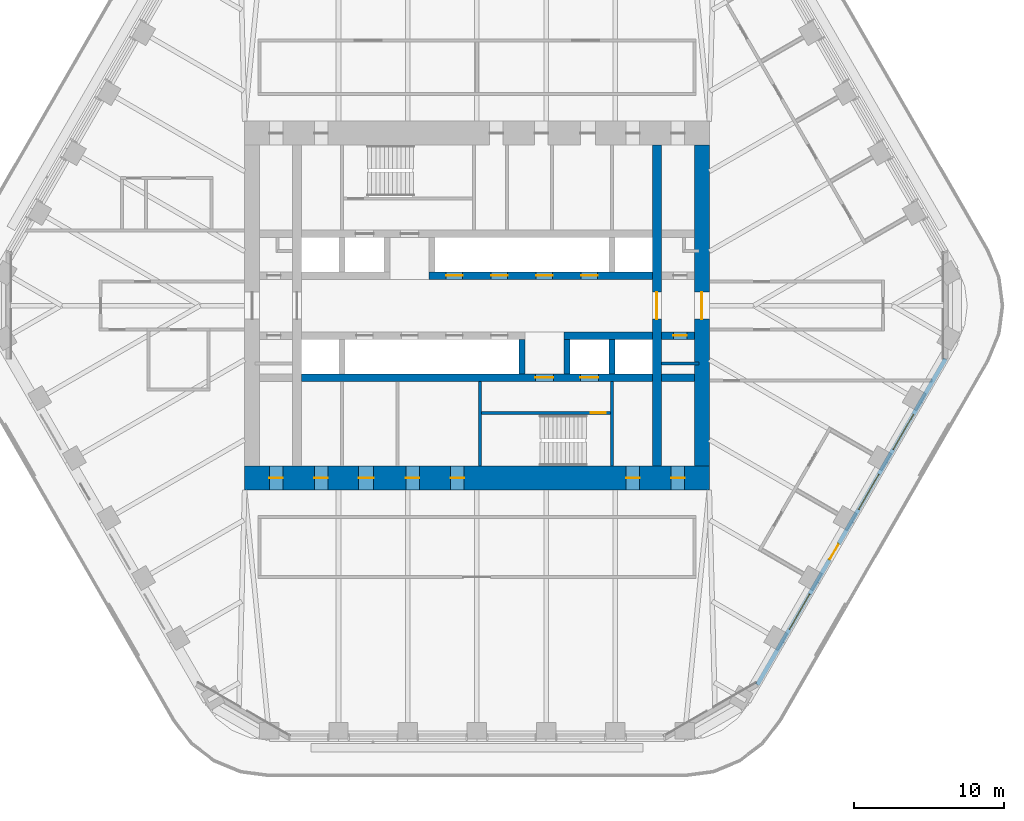
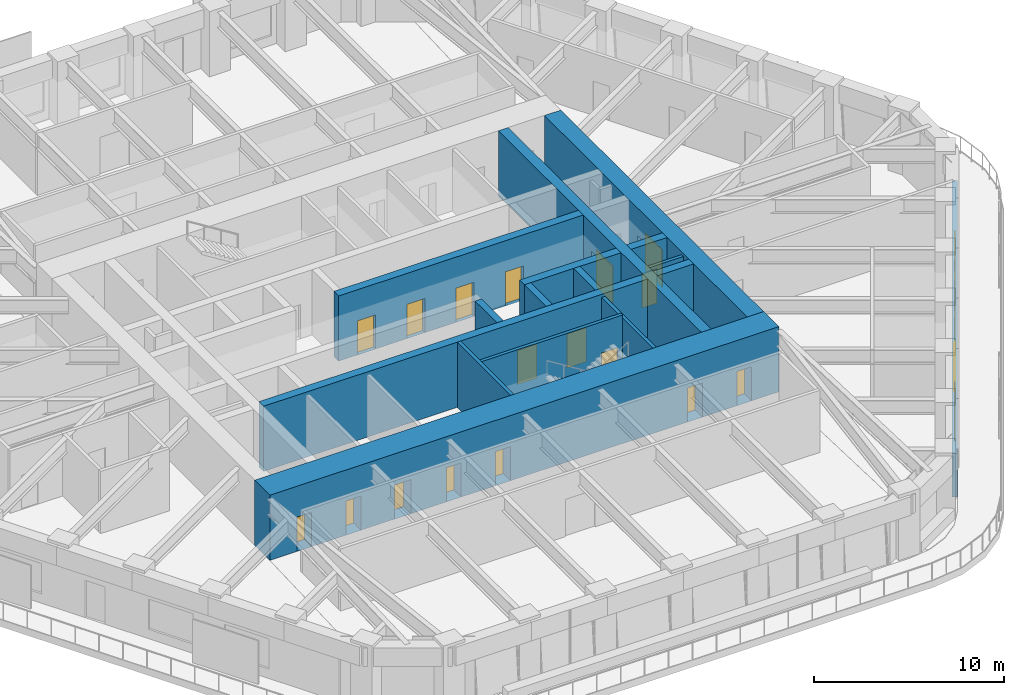
# One storey, part 15 of 20: 18 doors, 16 walls, 3 windows, 21 openings.
"""IFC4 building model written with IfcOpenShell, lengths in metres."""

from ifc_helpers import new_model, si_unit, direction, frame, frame_2d, origin, place, context, subcontext, project, spatial, rectangle, extrude, material, layer, layer_set, type_object, element, fill, save


model = new_model("IFC4")

# Units and contexts
model_context = context("Model", 3, precision=1e-05, world=origin(), true_north=direction((0.0, 1.0)))
body_context = subcontext(model_context, "Body", "Model", "MODEL_VIEW")
ifc_project = project(units=[si_unit("LENGTHUNIT", "METRE"), si_unit("AREAUNIT", "SQUARE_METRE"), si_unit("VOLUMEUNIT", "CUBIC_METRE"), si_unit("PLANEANGLEUNIT", "RADIAN"), si_unit("MASSUNIT", "GRAM", prefix="KILO")], contexts=[model_context])

# Site, building, storey
site_placement = place(None, origin())
site = spatial("IfcSite", under=ifc_project, at=site_placement, CompositionType="ELEMENT")
building_placement = place(site_placement, origin())
building = spatial("IfcBuilding", under=site, at=building_placement, Name="Tarfa Lantern Tower", CompositionType="ELEMENT")
storey_placement = place(building_placement, frame((0.0, 0.0, 236.5)))
storey = spatial("IfcBuildingStorey", under=building, at=storey_placement, Name="L53", CompositionType="ELEMENT", Elevation=236.5)

# Wall, openings, door, windows
ifc_material_1 = material(Name="Limestone cladding on blockwork", Category="masonry")
ifc_layer_1 = layer(ifc_material_1, 0.300048828125)
ifc_layer_set_1 = layer_set([ifc_layer_1], Name="EW1 STONE-CLAD WALL 300")
wall_type_1 = type_object("IfcWallType", Name="EW1 STONE-CLAD WALL 300", PredefinedType="SOLIDWALL", material=ifc_layer_set_1)
wall_1_placement = place(storey_placement, frame((18.70654296875, -25.299072265625, 0.0), z_axis=(0.0, 0.0, 1.0), x_axis=(0.500000442367, 0.866025148383, 0.0)))
wall_1 = element("IfcWall", 1, at=wall_1_placement, inside=storey, type_object=wall_type_1, Name="Stone wall SE", PredefinedType="SOLIDWALL", context=body_context, shape_type="SweptSolid", body=[
    extrude(rectangle(XDim=25.11279296875, YDim=0.300048828125, at=frame_2d((12.556396484375, 0.0))), origin(), (0.0, 0.0, 1.0), 2.800048828125),
])
opening_1_placement = place(wall_1_placement, frame((4.2783203125, 0.0, 0.60009765625)))
opening_1 = element("IfcOpeningElement", 2, at=opening_1_placement, cuts=wall_1, Name="Opening W14", PredefinedType="OPENING", context=body_context, shape_type="SweptSolid", body=[
    extrude(rectangle(XDim=2.699951171875, YDim=1.949951171875, at=frame_2d((1.35009765625, 0.97509765625))), frame((0.0, 0.159912109375, 0.0), z_axis=(0.0, -1.0, 0.0), x_axis=(1.0, 0.0, 0.0)), (0.0, 0.0, 1.0), 0.320068359375),
])
opening_2_placement = place(wall_1_placement, frame((9.64697265625, 0.0, 0.0)))
opening_2 = element("IfcOpeningElement", 3, at=opening_2_placement, cuts=wall_1, Name="Opening D48", PredefinedType="OPENING", context=body_context, shape_type="SweptSolid", body=[
    extrude(rectangle(XDim=1.199951171875, YDim=2.39990234375, at=frame_2d((0.60009765625, 1.199951171875))), frame((0.0, 0.159912109375, 0.0), z_axis=(0.0, -1.0, 0.0), x_axis=(1.0, 0.0, 0.0)), (0.0, 0.0, 1.0), 0.320068359375),
])
opening_3_placement = place(wall_1_placement, frame((13.515869140625, 0.0, 0.60009765625)))
opening_3 = element("IfcOpeningElement", 4, at=opening_3_placement, cuts=wall_1, Name="Opening W14", PredefinedType="OPENING", context=body_context, shape_type="SweptSolid", body=[
    extrude(rectangle(XDim=2.699951171875, YDim=1.949951171875, at=frame_2d((1.35009765625, 0.97509765625))), frame((0.0, 0.159912109375, 0.0), z_axis=(0.0, -1.0, 0.0), x_axis=(1.0, 0.0, 0.0)), (0.0, 0.0, 1.0), 0.320068359375),
])
opening_4_placement = place(wall_1_placement, frame((18.134521484375, 0.0, 0.60009765625)))
opening_4 = element("IfcOpeningElement", 5, at=opening_4_placement, cuts=wall_1, Name="Opening W14", PredefinedType="OPENING", context=body_context, shape_type="SweptSolid", body=[
    extrude(rectangle(XDim=2.699951171875, YDim=1.949951171875, at=frame_2d((1.35009765625, 0.97509765625))), frame((0.0, 0.159912109375, 0.0), z_axis=(0.0, -1.0, 0.0), x_axis=(1.0, 0.0, 0.0)), (0.0, 0.0, 1.0), 0.320068359375),
])
ifc_material_2 = material(Name="Aluminium framed glazed door", Category="aluminium")
door_type_1 = type_object("IfcDoorType", Name="BE3 BALCONY DOOR 1200x2400", OperationType="SINGLE_SWING_RIGHT", PredefinedType="DOOR", material=ifc_material_2)
door_1_placement = place(opening_2_placement, origin())
door_1 = element("IfcDoor", 6, at=door_1_placement, inside=storey, type_object=door_type_1, Name="Balcony door SE", OperationType="SINGLE_SWING_RIGHT", OverallHeight=2.39990234375, OverallWidth=1.199951171875, PredefinedType="DOOR", context=body_context, shape_type="SweptSolid", body=[
    extrude(rectangle(XDim=1.199951171875, YDim=2.39990234375, at=frame_2d((0.60009765625, 1.199951171875))), frame((0.0, 0.02490234375, 0.0), z_axis=(0.0, -1.0, 0.0), x_axis=(1.0, 0.0, 0.0)), (0.0, 0.0, 1.0), 0.050048828125),
])
fill(opening_2, door_1)
ifc_material_3 = material(Name="Aluminium frame, double glazed", Category="aluminium")
window_type = type_object("IfcWindowType", Name="W14 FULL-HEIGHT GLAZING 2700x1950", PartitioningType="SINGLE_PANEL", PredefinedType="WINDOW", material=ifc_material_3)
window_1_placement = place(opening_1_placement, origin())
window_1 = element("IfcWindow", 7, at=window_1_placement, inside=storey, type_object=window_type, Name="Window SE 2", OverallHeight=1.949951171875, OverallWidth=2.699951171875, PartitioningType="SINGLE_PANEL", PredefinedType="WINDOW", context=body_context, shape_type="SweptSolid", body=[
    extrude(rectangle(XDim=2.699951171875, YDim=1.949951171875, at=frame_2d((1.35009765625, 0.97509765625))), frame((0.0, 0.030029296875, 0.0), z_axis=(0.0, -1.0, 0.0), x_axis=(1.0, 0.0, 0.0)), (0.0, 0.0, 1.0), 0.06005859375),
])
fill(opening_1, window_1)
window_2_placement = place(opening_3_placement, origin())
window_2 = element("IfcWindow", 8, at=window_2_placement, inside=storey, type_object=window_type, Name="Window SE 4", OverallHeight=1.949951171875, OverallWidth=2.699951171875, PartitioningType="SINGLE_PANEL", PredefinedType="WINDOW", context=body_context, shape_type="SweptSolid", body=[
    extrude(rectangle(XDim=2.699951171875, YDim=1.949951171875, at=frame_2d((1.35009765625, 0.97509765625))), frame((0.0, 0.030029296875, 0.0), z_axis=(0.0, -1.0, 0.0), x_axis=(1.0, 0.0, 0.0)), (0.0, 0.0, 1.0), 0.06005859375),
])
fill(opening_3, window_2)
window_3_placement = place(opening_4_placement, origin())
window_3 = element("IfcWindow", 9, at=window_3_placement, inside=storey, type_object=window_type, Name="Window SE 5", OverallHeight=1.949951171875, OverallWidth=2.699951171875, PartitioningType="SINGLE_PANEL", PredefinedType="WINDOW", context=body_context, shape_type="SweptSolid", body=[
    extrude(rectangle(XDim=2.699951171875, YDim=1.949951171875, at=frame_2d((1.35009765625, 0.97509765625))), frame((0.0, 0.030029296875, 0.0), z_axis=(0.0, -1.0, 0.0), x_axis=(1.0, 0.0, 0.0)), (0.0, 0.0, 1.0), 0.06005859375),
])
fill(opening_4, window_3)

# Walls
ifc_material_4 = material(Name="Concrete blockwork", Category="masonry")
ifc_layer_2 = layer(ifc_material_4, 0.199951171875)
ifc_layer_set_2 = layer_set([ifc_layer_2], Name="IW1 BLOCKWORK PARTITION 200 EI 120")
wall_type_2 = type_object("IfcWallType", Name="IW1 BLOCKWORK PARTITION 200 EI 120", PredefinedType="PARTITIONING", material=ifc_layer_set_2)
wall_2_placement = place(storey_placement, frame((9.0, -5.050048828125, 0.0), z_axis=(0.0, 0.0, 1.0), x_axis=(0.0, -1.0, 0.0)))
element("IfcWall", 10, at=wall_2_placement, inside=storey, type_object=wall_type_2, Name="Core partition", PredefinedType="PARTITIONING", context=body_context, shape_type="SweptSolid", body=[
    extrude(rectangle(XDim=5.64990234375, YDim=0.199951171875, at=frame_2d((2.824951171875, 0.0))), origin(), (0.0, 0.0, 1.0), 4.0),
])
wall_3_placement = place(storey_placement, frame((14.800048828125, -3.85009765625, 0.0), z_axis=(0.0, 0.0, 1.0), x_axis=(-1.0, 0.0, 0.0)))
element("IfcWall", 11, at=wall_3_placement, inside=storey, type_object=wall_type_2, Name="Core partition", PredefinedType="PARTITIONING", context=body_context, shape_type="SweptSolid", body=[
    extrude(rectangle(XDim=2.5, YDim=0.199951171875, at=frame_2d((1.25, 0.0))), origin(), (0.0, 0.0, 1.0), 4.0),
])
ifc_material_5 = material(Name="Concrete C80/95", Category="concrete")
ifc_layer_3 = layer(ifc_material_5, 0.199951171875)
ifc_layer_set_3 = layer_set([ifc_layer_3], Name="SW12 CORE WALL 200")
wall_type_3 = type_object("IfcWallType", Name="SW12 CORE WALL 200", PredefinedType="SHEAR", material=ifc_layer_set_3)
wall_4_placement = place(storey_placement, frame((0.199951171875, -5.050048828125, 0.0), z_axis=(0.0, 0.0, 1.0), x_axis=(0.0, -1.0, 0.0)))
element("IfcWall", 12, at=wall_4_placement, inside=storey, type_object=wall_type_3, Name="Core wall stair shaft S", PredefinedType="SHEAR", context=body_context, shape_type="SweptSolid", body=[
    extrude(rectangle(XDim=5.64990234375, YDim=0.199951171875, at=frame_2d((2.824951171875, 0.0))), origin(), (0.0, 0.0, 1.0), 4.199951171875),
])

# Wall, opening, door
wall_5_placement = place(storey_placement, frame((8.89990234375, -7.14990234375, 0.0), z_axis=(0.0, 0.0, 1.0), x_axis=(-1.0, 0.0, 0.0)))
wall_5 = element("IfcWall", 13, at=wall_5_placement, inside=storey, type_object=wall_type_3, Name="Core wall stair partition S", PredefinedType="SHEAR", context=body_context, shape_type="SweptSolid", body=[
    extrude(rectangle(XDim=8.599853515625, YDim=0.199951171875, at=frame_2d((4.2998046875, 0.0))), origin(), (0.0, 0.0, 1.0), 4.199951171875),
])
opening_5_placement = place(wall_5_placement, frame((0.300048828125, 0.0, 0.0)))
opening_5 = element("IfcOpeningElement", 14, at=opening_5_placement, cuts=wall_5, Name="Opening D24", PredefinedType="OPENING", context=body_context, shape_type="SweptSolid", body=[
    extrude(rectangle(XDim=1.0, YDim=2.199951171875, at=frame_2d((0.5, 1.10009765625))), frame((0.0, 0.10986328125, 0.0), z_axis=(0.0, -1.0, 0.0), x_axis=(1.0, 0.0, 0.0)), (0.0, 0.0, 1.0), 0.219970703125),
])
ifc_material_6 = material(Name="Steel fire door", Category="steel")
door_type_2 = type_object("IfcDoorType", Name="DF2 STAIR DOOR 1000x2200", OperationType="SINGLE_SWING_LEFT", PredefinedType="DOOR", material=ifc_material_6)
door_2_placement = place(opening_5_placement, origin())
door_2 = element("IfcDoor", 15, at=door_2_placement, inside=storey, type_object=door_type_2, Name="Stair door", OperationType="SINGLE_SWING_RIGHT", OverallHeight=2.199951171875, OverallWidth=1.0, PredefinedType="DOOR", context=body_context, shape_type="SweptSolid", body=[
    extrude(rectangle(XDim=1.0, YDim=2.199951171875, at=frame_2d((0.5, 1.10009765625))), frame((0.0, 0.02490234375, 0.0), z_axis=(0.0, -1.0, 0.0), x_axis=(1.0, 0.0, 0.0)), (0.0, 0.0, 1.0), 0.050048828125),
])
fill(opening_5, door_2)

ifc_layer_4 = layer(ifc_material_5, 1.0)
ifc_layer_set_4 = layer_set([ifc_layer_4], Name="SW2 CORE WALL 1000")
wall_type_4 = type_object("IfcWallType", Name="SW2 CORE WALL 1000", PredefinedType="SHEAR", material=ifc_layer_set_4)
wall_6_placement = place(storey_placement, frame((15.0, -10.699951171875, 0.0), z_axis=(0.0, 0.0, 1.0), x_axis=(0.0, 1.0, 0.0)))
wall_6 = element("IfcWall", 16, at=wall_6_placement, inside=storey, type_object=wall_type_4, Name="Core wall E", PredefinedType="SHEAR", context=body_context, shape_type="SweptSolid", body=[
    extrude(rectangle(XDim=21.39990234375, YDim=1.0, at=frame_2d((10.699951171875, 0.0))), origin(), (0.0, 0.0, 1.0), 4.199951171875),
])
opening_6_placement = place(wall_6_placement, frame((9.800048828125, 0.0, 0.0)))
opening_6 = element("IfcOpeningElement", 17, at=opening_6_placement, cuts=wall_6, Name="Opening D11", PredefinedType="OPENING", context=body_context, shape_type="SweptSolid", body=[
    extrude(rectangle(XDim=1.800048828125, YDim=2.39990234375, at=frame_2d((0.89990234375, 1.199951171875))), frame((0.0, 0.510009765625, 0.0), z_axis=(0.0, -1.0, 0.0), x_axis=(1.0, 0.0, 0.0)), (0.0, 0.0, 1.0), 1.02001953125),
])
door_type_3 = type_object("IfcDoorType", Name="DL1 LOBBY DOOR 1800x2400", OperationType="DOUBLE_DOOR_SINGLE_SWING", PredefinedType="DOOR", material=ifc_material_6)
door_3_placement = place(opening_6_placement, frame((1.800048828125, 0.0, 0.0), z_axis=(0.0, 0.0, 1.0), x_axis=(-1.0, 0.0, 0.0)))
door_3 = element("IfcDoor", 18, at=door_3_placement, inside=storey, type_object=door_type_3, Name="Lift lobby door", OperationType="DOUBLE_DOOR_SINGLE_SWING", OverallHeight=2.39990234375, OverallWidth=1.800048828125, PredefinedType="DOOR", context=body_context, shape_type="SweptSolid", body=[
    extrude(rectangle(XDim=1.800048828125, YDim=2.39990234375, at=frame_2d((0.89990234375, 1.199951171875))), frame((0.0, 0.02490234375, 0.0), z_axis=(0.0, -1.0, 0.0), x_axis=(1.0, 0.0, 0.0)), (0.0, 0.0, 1.0), 0.050048828125),
])
fill(opening_6, door_3)

# Wall, openings, doors
ifc_layer_5 = layer(ifc_material_5, 0.5)
ifc_layer_set_5 = layer_set([ifc_layer_5], Name="SW5 CORE WALL 500")
wall_type_5 = type_object("IfcWallType", Name="SW5 CORE WALL 500", PredefinedType="SHEAR", material=ifc_layer_set_5)
wall_7_placement = place(storey_placement, frame((-3.199951171875, 2.0, 0.0), z_axis=(0.0, 0.0, 1.0), x_axis=(1.0, 0.0, 0.0)))
wall_7 = element("IfcWall", 19, at=wall_7_placement, inside=storey, type_object=wall_type_5, Name="Core wall lobby east N", PredefinedType="SHEAR", context=body_context, shape_type="SweptSolid", body=[
    extrude(rectangle(XDim=14.89990234375, YDim=0.5, at=frame_2d((7.449951171875, 0.0))), origin(), (0.0, 0.0, 1.0), 4.199951171875),
])
opening_7_placement = place(wall_7_placement, frame((1.14990234375, 0.0, 0.0)))
opening_7 = element("IfcOpeningElement", 20, at=opening_7_placement, cuts=wall_7, Name="Opening LD03", PredefinedType="OPENING", context=body_context, shape_type="SweptSolid", body=[
    extrude(rectangle(XDim=1.10009765625, YDim=2.199951171875, at=frame_2d((0.550048828125, 1.10009765625))), frame((0.0, 0.260009765625, 0.0), z_axis=(0.0, -1.0, 0.0), x_axis=(1.0, 0.0, 0.0)), (0.0, 0.0, 1.0), 0.52001953125),
])
opening_8_placement = place(wall_7_placement, frame((4.14990234375, 0.0, 0.0)))
opening_8 = element("IfcOpeningElement", 21, at=opening_8_placement, cuts=wall_7, Name="Opening LD04", PredefinedType="OPENING", context=body_context, shape_type="SweptSolid", body=[
    extrude(rectangle(XDim=1.10009765625, YDim=2.199951171875, at=frame_2d((0.550048828125, 1.10009765625))), frame((0.0, 0.260009765625, 0.0), z_axis=(0.0, -1.0, 0.0), x_axis=(1.0, 0.0, 0.0)), (0.0, 0.0, 1.0), 0.52001953125),
])
opening_9_placement = place(wall_7_placement, frame((7.14990234375, 0.0, 0.0)))
opening_9 = element("IfcOpeningElement", 22, at=opening_9_placement, cuts=wall_7, Name="Opening LD05", PredefinedType="OPENING", context=body_context, shape_type="SweptSolid", body=[
    extrude(rectangle(XDim=1.10009765625, YDim=2.199951171875, at=frame_2d((0.550048828125, 1.10009765625))), frame((0.0, 0.260009765625, 0.0), z_axis=(0.0, -1.0, 0.0), x_axis=(1.0, 0.0, 0.0)), (0.0, 0.0, 1.0), 0.52001953125),
])
opening_10_placement = place(wall_7_placement, frame((10.14990234375, 0.0, 0.0)))
opening_10 = element("IfcOpeningElement", 23, at=opening_10_placement, cuts=wall_7, Name="Opening LD06", PredefinedType="OPENING", context=body_context, shape_type="SweptSolid", body=[
    extrude(rectangle(XDim=1.10009765625, YDim=2.199951171875, at=frame_2d((0.550048828125, 1.10009765625))), frame((0.0, 0.260009765625, 0.0), z_axis=(0.0, -1.0, 0.0), x_axis=(1.0, 0.0, 0.0)), (0.0, 0.0, 1.0), 0.52001953125),
])
ifc_material_7 = material(Name="Stainless steel lift door", Category="steel")
door_type_4 = type_object("IfcDoorType", Name="LD2 LIFT LANDING DOOR 1100x2200", OperationType="SLIDING_TO_LEFT", PredefinedType="DOOR", material=ifc_material_7)
door_4_placement = place(opening_7_placement, frame((1.10009765625, 0.0, 0.0), z_axis=(0.0, 0.0, 1.0), x_axis=(-1.0, 0.0, 0.0)))
door_4 = element("IfcDoor", 24, at=door_4_placement, inside=storey, type_object=door_type_4, Name="Landing door PC1", OperationType="SLIDING_TO_LEFT", OverallHeight=2.199951171875, OverallWidth=1.10009765625, PredefinedType="DOOR", context=body_context, shape_type="SweptSolid", body=[
    extrude(rectangle(XDim=1.10009765625, YDim=2.199951171875, at=frame_2d((0.550048828125, 1.10009765625))), frame((0.0, 0.02490234375, 0.0), z_axis=(0.0, -1.0, 0.0), x_axis=(1.0, 0.0, 0.0)), (0.0, 0.0, 1.0), 0.050048828125),
])
fill(opening_7, door_4)
door_5_placement = place(opening_8_placement, frame((1.10009765625, 0.0, 0.0), z_axis=(0.0, 0.0, 1.0), x_axis=(-1.0, 0.0, 0.0)))
door_5 = element("IfcDoor", 25, at=door_5_placement, inside=storey, type_object=door_type_4, Name="Landing door PC2", OperationType="SLIDING_TO_LEFT", OverallHeight=2.199951171875, OverallWidth=1.10009765625, PredefinedType="DOOR", context=body_context, shape_type="SweptSolid", body=[
    extrude(rectangle(XDim=1.10009765625, YDim=2.199951171875, at=frame_2d((0.550048828125, 1.10009765625))), frame((0.0, 0.02490234375, 0.0), z_axis=(0.0, -1.0, 0.0), x_axis=(1.0, 0.0, 0.0)), (0.0, 0.0, 1.0), 0.050048828125),
])
fill(opening_8, door_5)
door_6_placement = place(opening_9_placement, frame((1.10009765625, 0.0, 0.0), z_axis=(0.0, 0.0, 1.0), x_axis=(-1.0, 0.0, 0.0)))
door_6 = element("IfcDoor", 26, at=door_6_placement, inside=storey, type_object=door_type_4, Name="Landing door PC3", OperationType="SLIDING_TO_LEFT", OverallHeight=2.199951171875, OverallWidth=1.10009765625, PredefinedType="DOOR", context=body_context, shape_type="SweptSolid", body=[
    extrude(rectangle(XDim=1.10009765625, YDim=2.199951171875, at=frame_2d((0.550048828125, 1.10009765625))), frame((0.0, 0.02490234375, 0.0), z_axis=(0.0, -1.0, 0.0), x_axis=(1.0, 0.0, 0.0)), (0.0, 0.0, 1.0), 0.050048828125),
])
fill(opening_9, door_6)
door_7_placement = place(opening_10_placement, frame((1.10009765625, 0.0, 0.0), z_axis=(0.0, 0.0, 1.0), x_axis=(-1.0, 0.0, 0.0)))
door_7 = element("IfcDoor", 27, at=door_7_placement, inside=storey, type_object=door_type_4, Name="Landing door PC4", OperationType="SLIDING_TO_LEFT", OverallHeight=2.199951171875, OverallWidth=1.10009765625, PredefinedType="DOOR", context=body_context, shape_type="SweptSolid", body=[
    extrude(rectangle(XDim=1.10009765625, YDim=2.199951171875, at=frame_2d((0.550048828125, 1.10009765625))), frame((0.0, 0.02490234375, 0.0), z_axis=(0.0, -1.0, 0.0), x_axis=(1.0, 0.0, 0.0)), (0.0, 0.0, 1.0), 0.050048828125),
])
fill(opening_10, door_7)

# Wall, opening, door
wall_8_placement = place(storey_placement, frame((14.5, -2.0, 0.0), z_axis=(0.0, 0.0, 1.0), x_axis=(-1.0, 0.0, 0.0)))
wall_8 = element("IfcWall", 28, at=wall_8_placement, inside=storey, type_object=wall_type_5, Name="Core wall lobby west S", PredefinedType="SHEAR", context=body_context, shape_type="SweptSolid", body=[
    extrude(rectangle(XDim=2.199951171875, YDim=0.5, at=frame_2d((1.10009765625, 0.0))), origin(), (0.0, 0.0, 1.0), 4.199951171875),
])
opening_11_placement = place(wall_8_placement, frame((0.5, 0.0, 0.0)))
opening_11 = element("IfcOpeningElement", 29, at=opening_11_placement, cuts=wall_8, Name="Opening D16", PredefinedType="OPENING", context=body_context, shape_type="SweptSolid", body=[
    extrude(rectangle(XDim=0.89990234375, YDim=2.199951171875, at=frame_2d((0.449951171875, 1.10009765625))), frame((0.0, 0.260009765625, 0.0), z_axis=(0.0, -1.0, 0.0), x_axis=(1.0, 0.0, 0.0)), (0.0, 0.0, 1.0), 0.52001953125),
])
door_type_5 = type_object("IfcDoorType", Name="DF6 SERVICE ROOM DOOR 900x2200", OperationType="SINGLE_SWING_LEFT", PredefinedType="DOOR", material=ifc_material_6)
door_8_placement = place(opening_11_placement, origin())
door_8 = element("IfcDoor", 30, at=door_8_placement, inside=storey, type_object=door_type_5, Name="Service room door", OperationType="SINGLE_SWING_RIGHT", OverallHeight=2.199951171875, OverallWidth=0.89990234375, PredefinedType="DOOR", context=body_context, shape_type="SweptSolid", body=[
    extrude(rectangle(XDim=0.89990234375, YDim=2.199951171875, at=frame_2d((0.449951171875, 1.10009765625))), frame((0.0, 0.02490234375, 0.0), z_axis=(0.0, -1.0, 0.0), x_axis=(1.0, 0.0, 0.0)), (0.0, 0.0, 1.0), 0.050048828125),
])
fill(opening_11, door_8)

# Walls
wall_9_placement = place(storey_placement, frame((11.699951171875, -2.0, 0.0), z_axis=(0.0, 0.0, 1.0), x_axis=(-1.0, 0.0, 0.0)))
element("IfcWall", 31, at=wall_9_placement, inside=storey, type_object=wall_type_5, Name="Core wall lobby west S", PredefinedType="SHEAR", context=body_context, shape_type="SweptSolid", body=[
    extrude(rectangle(XDim=5.89990234375, YDim=0.5, at=frame_2d((2.949951171875, 0.0))), origin(), (0.0, 0.0, 1.0), 4.199951171875),
])
wall_10_placement = place(storey_placement, frame((14.5, -4.800048828125, 0.0), z_axis=(0.0, 0.0, 1.0), x_axis=(-1.0, 0.0, 0.0)))
element("IfcWall", 32, at=wall_10_placement, inside=storey, type_object=wall_type_5, Name="Core wall rear S", PredefinedType="SHEAR", context=body_context, shape_type="SweptSolid", body=[
    extrude(rectangle(XDim=2.199951171875, YDim=0.5, at=frame_2d((1.10009765625, 0.0))), origin(), (0.0, 0.0, 1.0), 4.199951171875),
])

# Wall, openings, doors
wall_11_placement = place(storey_placement, frame((11.699951171875, -4.800048828125, 0.0), z_axis=(0.0, 0.0, 1.0), x_axis=(-1.0, 0.0, 0.0)))
wall_11 = element("IfcWall", 33, at=wall_11_placement, inside=storey, type_object=wall_type_5, Name="Core wall rear S", PredefinedType="SHEAR", context=body_context, shape_type="SweptSolid", body=[
    extrude(rectangle(XDim=23.39990234375, YDim=0.5, at=frame_2d((11.699951171875, 0.0))), origin(), (0.0, 0.0, 1.0), 4.199951171875),
])
opening_12_placement = place(wall_11_placement, frame((6.60009765625, 0.0, 0.0)))
opening_12 = element("IfcOpeningElement", 34, at=opening_12_placement, cuts=wall_11, Name="Opening D10", PredefinedType="OPENING", context=body_context, shape_type="SweptSolid", body=[
    extrude(rectangle(XDim=1.199951171875, YDim=2.199951171875, at=frame_2d((0.60009765625, 1.10009765625))), frame((0.0, 0.260009765625, 0.0), z_axis=(0.0, -1.0, 0.0), x_axis=(1.0, 0.0, 0.0)), (0.0, 0.0, 1.0), 0.52001953125),
])
opening_13_placement = place(wall_11_placement, frame((3.60009765625, 0.0, 0.0)))
opening_13 = element("IfcOpeningElement", 35, at=opening_13_placement, cuts=wall_11, Name="Opening LD02", PredefinedType="OPENING", context=body_context, shape_type="SweptSolid", body=[
    extrude(rectangle(XDim=1.199951171875, YDim=2.199951171875, at=frame_2d((0.60009765625, 1.10009765625))), frame((0.0, 0.260009765625, 0.0), z_axis=(0.0, -1.0, 0.0), x_axis=(1.0, 0.0, 0.0)), (0.0, 0.0, 1.0), 0.52001953125),
])
door_type_6 = type_object("IfcDoorType", Name="DF1 FIREFIGHTING LOBBY DOOR 1200x2200", OperationType="SINGLE_SWING_LEFT", PredefinedType="DOOR", material=ifc_material_6)
door_9_placement = place(opening_12_placement, origin())
door_9 = element("IfcDoor", 36, at=door_9_placement, inside=storey, type_object=door_type_6, Name="Firefighting lobby door", OperationType="SINGLE_SWING_LEFT", OverallHeight=2.199951171875, OverallWidth=1.199951171875, PredefinedType="DOOR", context=body_context, shape_type="SweptSolid", body=[
    extrude(rectangle(XDim=1.199951171875, YDim=2.199951171875, at=frame_2d((0.60009765625, 1.10009765625))), frame((0.0, 0.02490234375, 0.0), z_axis=(0.0, -1.0, 0.0), x_axis=(1.0, 0.0, 0.0)), (0.0, 0.0, 1.0), 0.050048828125),
])
fill(opening_12, door_9)
door_type_7 = type_object("IfcDoorType", Name="LD1 LIFT LANDING DOOR 1200x2200", OperationType="SLIDING_TO_LEFT", PredefinedType="DOOR", material=ifc_material_7)
door_10_placement = place(opening_13_placement, origin())
door_10 = element("IfcDoor", 37, at=door_10_placement, inside=storey, type_object=door_type_7, Name="Landing door FL2", OperationType="SLIDING_TO_LEFT", OverallHeight=2.199951171875, OverallWidth=1.199951171875, PredefinedType="DOOR", context=body_context, shape_type="SweptSolid", body=[
    extrude(rectangle(XDim=1.199951171875, YDim=2.199951171875, at=frame_2d((0.60009765625, 1.10009765625))), frame((0.0, 0.02490234375, 0.0), z_axis=(0.0, -1.0, 0.0), x_axis=(1.0, 0.0, 0.0)), (0.0, 0.0, 1.0), 0.050048828125),
])
fill(opening_13, door_10)

# Walls
ifc_layer_6 = layer(ifc_material_5, 0.39990234375)
ifc_layer_set_6 = layer_set([ifc_layer_6], Name="SW6 CORE WALL 400")
wall_type_6 = type_object("IfcWallType", Name="SW6 CORE WALL 400", PredefinedType="SHEAR", material=ifc_layer_set_6)
for number, where, z_axis, x_axis, name in (
    (38, (9.0, -2.25, 0.0), (0.0, 0.0, 1.0), (0.0, -1.0, 0.0), "Core wall divider S"),
    (39, (6.0, -2.25, 0.0), (0.0, 0.0, 1.0), (0.0, -1.0, 0.0), "Core wall divider S"),
    (40, (3.0, -2.25, 0.0), (0.0, 0.0, 1.0), (0.0, -1.0, 0.0), "Core wall divider S"),
):
    element("IfcWall", number, at=place(storey_placement, frame(where, z_axis=z_axis, x_axis=x_axis)), inside=storey, type_object=wall_type_6, Name=name, PredefinedType="SHEAR", context=body_context, shape_type="SweptSolid", body=[
        extrude(rectangle(XDim=2.300048828125, YDim=0.39990234375, at=frame_2d((1.14990234375, 0.0))), origin(), (0.0, 0.0, 1.0), 4.199951171875),
    ])

# Wall, openings, doors
ifc_layer_7 = layer(ifc_material_5, 1.60009765625)
ifc_layer_set_7 = layer_set([ifc_layer_7], Name="SW7 CORE WALL 1600")
wall_type_7 = type_object("IfcWallType", Name="SW7 CORE WALL 1600", PredefinedType="SHEAR", material=ifc_layer_set_7)
wall_12_placement = place(storey_placement, frame((15.5, -11.5, 0.0), z_axis=(0.0, 0.0, 1.0), x_axis=(-1.0, 0.0, 0.0)))
wall_12 = element("IfcWall", 41, at=wall_12_placement, inside=storey, type_object=wall_type_7, Name="Core wall S", PredefinedType="SHEAR", context=body_context, shape_type="SweptSolid", body=[
    extrude(rectangle(XDim=31.0, YDim=1.60009765625, at=frame_2d((15.5, 0.0))), origin(), (0.0, 0.0, 1.0), 4.199951171875),
])
opening_14_placement = place(wall_12_placement, frame((16.35009765625, 0.0, 0.0)))
opening_14 = element("IfcOpeningElement", 42, at=opening_14_placement, cuts=wall_12, Name="Opening D18", PredefinedType="OPENING", context=body_context, shape_type="SweptSolid", body=[
    extrude(rectangle(XDim=0.89990234375, YDim=2.199951171875, at=frame_2d((0.449951171875, 1.10009765625))), frame((0.0, 0.81005859375, 0.0), z_axis=(0.0, -1.0, 0.0), x_axis=(1.0, 0.0, 0.0)), (0.0, 0.0, 1.0), 1.6201171875),
])
opening_15_placement = place(wall_12_placement, frame((19.35009765625, 0.0, 0.0)))
opening_15 = element("IfcOpeningElement", 43, at=opening_15_placement, cuts=wall_12, Name="Opening D20", PredefinedType="OPENING", context=body_context, shape_type="SweptSolid", body=[
    extrude(rectangle(XDim=0.89990234375, YDim=2.199951171875, at=frame_2d((0.449951171875, 1.10009765625))), frame((0.0, 0.81005859375, 0.0), z_axis=(0.0, -1.0, 0.0), x_axis=(1.0, 0.0, 0.0)), (0.0, 0.0, 1.0), 1.6201171875),
])
opening_16_placement = place(wall_12_placement, frame((22.39990234375, 0.0, 0.0)))
opening_16 = element("IfcOpeningElement", 44, at=opening_16_placement, cuts=wall_12, Name="Opening D22", PredefinedType="OPENING", context=body_context, shape_type="SweptSolid", body=[
    extrude(rectangle(XDim=1.0, YDim=2.199951171875, at=frame_2d((0.5, 1.10009765625))), frame((0.0, 0.81005859375, 0.0), z_axis=(0.0, -1.0, 0.0), x_axis=(1.0, 0.0, 0.0)), (0.0, 0.0, 1.0), 1.6201171875),
])
opening_17_placement = place(wall_12_placement, frame((1.64990234375, 0.0, 0.0)))
opening_17 = element("IfcOpeningElement", 45, at=opening_17_placement, cuts=wall_12, Name="Opening D08", PredefinedType="OPENING", context=body_context, shape_type="SweptSolid", body=[
    extrude(rectangle(XDim=0.89990234375, YDim=2.199951171875, at=frame_2d((0.449951171875, 1.10009765625))), frame((0.0, 0.81005859375, 0.0), z_axis=(0.0, -1.0, 0.0), x_axis=(1.0, 0.0, 0.0)), (0.0, 0.0, 1.0), 1.6201171875),
])
opening_18_placement = place(wall_12_placement, frame((4.64990234375, 0.0, 0.0)))
opening_18 = element("IfcOpeningElement", 46, at=opening_18_placement, cuts=wall_12, Name="Opening D06", PredefinedType="OPENING", context=body_context, shape_type="SweptSolid", body=[
    extrude(rectangle(XDim=0.89990234375, YDim=2.199951171875, at=frame_2d((0.449951171875, 1.10009765625))), frame((0.0, 0.81005859375, 0.0), z_axis=(0.0, -1.0, 0.0), x_axis=(1.0, 0.0, 0.0)), (0.0, 0.0, 1.0), 1.6201171875),
])
opening_19_placement = place(wall_12_placement, frame((25.449951171875, 0.0, 0.0)))
opening_19 = element("IfcOpeningElement", 47, at=opening_19_placement, cuts=wall_12, Name="Opening D04", PredefinedType="OPENING", context=body_context, shape_type="SweptSolid", body=[
    extrude(rectangle(XDim=0.89990234375, YDim=2.199951171875, at=frame_2d((0.449951171875, 1.10009765625))), frame((0.0, 0.81005859375, 0.0), z_axis=(0.0, -1.0, 0.0), x_axis=(1.0, 0.0, 0.0)), (0.0, 0.0, 1.0), 1.6201171875),
])
opening_20_placement = place(wall_12_placement, frame((28.449951171875, 0.0, 0.0)))
opening_20 = element("IfcOpeningElement", 48, at=opening_20_placement, cuts=wall_12, Name="Opening D02", PredefinedType="OPENING", context=body_context, shape_type="SweptSolid", body=[
    extrude(rectangle(XDim=0.89990234375, YDim=2.199951171875, at=frame_2d((0.449951171875, 1.10009765625))), frame((0.0, 0.81005859375, 0.0), z_axis=(0.0, -1.0, 0.0), x_axis=(1.0, 0.0, 0.0)), (0.0, 0.0, 1.0), 1.6201171875),
])
door_type_8 = type_object("IfcDoorType", Name="DF3 CORE ROOM DOOR 900x2200", OperationType="SINGLE_SWING_LEFT", PredefinedType="DOOR", material=ifc_material_6)
door_11_placement = place(opening_14_placement, frame((0.89990234375, 0.0, 0.0), z_axis=(0.0, 0.0, 1.0), x_axis=(-1.0, 0.0, 0.0)))
door_11 = element("IfcDoor", 49, at=door_11_placement, inside=storey, type_object=door_type_8, Name="Core door", OperationType="SINGLE_SWING_LEFT", OverallHeight=2.199951171875, OverallWidth=0.89990234375, PredefinedType="DOOR", context=body_context, shape_type="SweptSolid", body=[
    extrude(rectangle(XDim=0.89990234375, YDim=2.199951171875, at=frame_2d((0.449951171875, 1.10009765625))), frame((0.0, 0.02490234375, 0.0), z_axis=(0.0, -1.0, 0.0), x_axis=(1.0, 0.0, 0.0)), (0.0, 0.0, 1.0), 0.050048828125),
])
fill(opening_14, door_11)
door_12_placement = place(opening_15_placement, frame((0.89990234375, 0.0, 0.0), z_axis=(0.0, 0.0, 1.0), x_axis=(-1.0, 0.0, 0.0)))
door_12 = element("IfcDoor", 50, at=door_12_placement, inside=storey, type_object=door_type_8, Name="Core door", OperationType="SINGLE_SWING_RIGHT", OverallHeight=2.199951171875, OverallWidth=0.89990234375, PredefinedType="DOOR", context=body_context, shape_type="SweptSolid", body=[
    extrude(rectangle(XDim=0.89990234375, YDim=2.199951171875, at=frame_2d((0.449951171875, 1.10009765625))), frame((0.0, 0.02490234375, 0.0), z_axis=(0.0, -1.0, 0.0), x_axis=(1.0, 0.0, 0.0)), (0.0, 0.0, 1.0), 0.050048828125),
])
fill(opening_15, door_12)
door_type_9 = type_object("IfcDoorType", Name="DF4 CORE ROOM DOOR 1000x2200", OperationType="SINGLE_SWING_LEFT", PredefinedType="DOOR", material=ifc_material_6)
door_13_placement = place(opening_16_placement, frame((1.0, 0.0, 0.0), z_axis=(0.0, 0.0, 1.0), x_axis=(-1.0, 0.0, 0.0)))
door_13 = element("IfcDoor", 51, at=door_13_placement, inside=storey, type_object=door_type_9, Name="Core door", OperationType="SINGLE_SWING_RIGHT", OverallHeight=2.199951171875, OverallWidth=1.0, PredefinedType="DOOR", context=body_context, shape_type="SweptSolid", body=[
    extrude(rectangle(XDim=1.0, YDim=2.199951171875, at=frame_2d((0.5, 1.10009765625))), frame((0.0, 0.02490234375, 0.0), z_axis=(0.0, -1.0, 0.0), x_axis=(1.0, 0.0, 0.0)), (0.0, 0.0, 1.0), 0.050048828125),
])
fill(opening_16, door_13)
door_type_10 = type_object("IfcDoorType", Name="DF5 RISER DOOR 900x2200", OperationType="SINGLE_SWING_LEFT", PredefinedType="DOOR", material=ifc_material_6)
door_14_placement = place(opening_17_placement, frame((0.89990234375, 0.0, 0.0), z_axis=(0.0, 0.0, 1.0), x_axis=(-1.0, 0.0, 0.0)))
door_14 = element("IfcDoor", 52, at=door_14_placement, inside=storey, type_object=door_type_10, Name="Riser door", OperationType="SINGLE_SWING_LEFT", OverallHeight=2.199951171875, OverallWidth=0.89990234375, PredefinedType="DOOR", context=body_context, shape_type="SweptSolid", body=[
    extrude(rectangle(XDim=0.89990234375, YDim=2.199951171875, at=frame_2d((0.449951171875, 1.10009765625))), frame((0.0, 0.02490234375, 0.0), z_axis=(0.0, -1.0, 0.0), x_axis=(1.0, 0.0, 0.0)), (0.0, 0.0, 1.0), 0.050048828125),
])
fill(opening_17, door_14)
door_15_placement = place(opening_18_placement, frame((0.89990234375, 0.0, 0.0), z_axis=(0.0, 0.0, 1.0), x_axis=(-1.0, 0.0, 0.0)))
door_15 = element("IfcDoor", 53, at=door_15_placement, inside=storey, type_object=door_type_10, Name="Riser door", OperationType="SINGLE_SWING_LEFT", OverallHeight=2.199951171875, OverallWidth=0.89990234375, PredefinedType="DOOR", context=body_context, shape_type="SweptSolid", body=[
    extrude(rectangle(XDim=0.89990234375, YDim=2.199951171875, at=frame_2d((0.449951171875, 1.10009765625))), frame((0.0, 0.02490234375, 0.0), z_axis=(0.0, -1.0, 0.0), x_axis=(1.0, 0.0, 0.0)), (0.0, 0.0, 1.0), 0.050048828125),
])
fill(opening_18, door_15)
door_16_placement = place(opening_19_placement, frame((0.89990234375, 0.0, 0.0), z_axis=(0.0, 0.0, 1.0), x_axis=(-1.0, 0.0, 0.0)))
door_16 = element("IfcDoor", 54, at=door_16_placement, inside=storey, type_object=door_type_10, Name="Riser door", OperationType="SINGLE_SWING_RIGHT", OverallHeight=2.199951171875, OverallWidth=0.89990234375, PredefinedType="DOOR", context=body_context, shape_type="SweptSolid", body=[
    extrude(rectangle(XDim=0.89990234375, YDim=2.199951171875, at=frame_2d((0.449951171875, 1.10009765625))), frame((0.0, 0.02490234375, 0.0), z_axis=(0.0, -1.0, 0.0), x_axis=(1.0, 0.0, 0.0)), (0.0, 0.0, 1.0), 0.050048828125),
])
fill(opening_19, door_16)
door_17_placement = place(opening_20_placement, frame((0.89990234375, 0.0, 0.0), z_axis=(0.0, 0.0, 1.0), x_axis=(-1.0, 0.0, 0.0)))
door_17 = element("IfcDoor", 55, at=door_17_placement, inside=storey, type_object=door_type_10, Name="Riser door", OperationType="SINGLE_SWING_RIGHT", OverallHeight=2.199951171875, OverallWidth=0.89990234375, PredefinedType="DOOR", context=body_context, shape_type="SweptSolid", body=[
    extrude(rectangle(XDim=0.89990234375, YDim=2.199951171875, at=frame_2d((0.449951171875, 1.10009765625))), frame((0.0, 0.02490234375, 0.0), z_axis=(0.0, -1.0, 0.0), x_axis=(1.0, 0.0, 0.0)), (0.0, 0.0, 1.0), 0.050048828125),
])
fill(opening_20, door_17)

# Wall, opening, door
ifc_layer_8 = layer(ifc_material_5, 0.60009765625)
ifc_layer_set_8 = layer_set([ifc_layer_8], Name="SW9 CORE WALL 600")
wall_type_8 = type_object("IfcWallType", Name="SW9 CORE WALL 600", PredefinedType="SHEAR", material=ifc_layer_set_8)
wall_13_placement = place(storey_placement, frame((12.0, -10.699951171875, 0.0), z_axis=(0.0, 0.0, 1.0), x_axis=(0.0, 1.0, 0.0)))
wall_13 = element("IfcWall", 56, at=wall_13_placement, inside=storey, type_object=wall_type_8, Name="Core wall cross 12 m east", PredefinedType="SHEAR", context=body_context, shape_type="SweptSolid", body=[
    extrude(rectangle(XDim=21.39990234375, YDim=0.60009765625, at=frame_2d((10.699951171875, 0.0))), origin(), (0.0, 0.0, 1.0), 4.199951171875),
])
opening_21_placement = place(wall_13_placement, frame((9.800048828125, 0.0, 0.0)))
opening_21 = element("IfcOpeningElement", 57, at=opening_21_placement, cuts=wall_13, Name="Opening D25", PredefinedType="OPENING", context=body_context, shape_type="SweptSolid", body=[
    extrude(rectangle(XDim=1.800048828125, YDim=2.39990234375, at=frame_2d((0.89990234375, 1.199951171875))), frame((0.0, 0.31005859375, 0.0), z_axis=(0.0, -1.0, 0.0), x_axis=(1.0, 0.0, 0.0)), (0.0, 0.0, 1.0), 0.6201171875),
])
door_18_placement = place(opening_21_placement, origin())
door_18 = element("IfcDoor", 58, at=door_18_placement, inside=storey, type_object=door_type_3, Name="Lift lobby door", OperationType="DOUBLE_DOOR_SINGLE_SWING", OverallHeight=2.39990234375, OverallWidth=1.800048828125, PredefinedType="DOOR", context=body_context, shape_type="SweptSolid", body=[
    extrude(rectangle(XDim=1.800048828125, YDim=2.39990234375, at=frame_2d((0.89990234375, 1.199951171875))), frame((0.0, 0.02490234375, 0.0), z_axis=(0.0, -1.0, 0.0), x_axis=(1.0, 0.0, 0.0)), (0.0, 0.0, 1.0), 0.050048828125),
])
fill(opening_21, door_18)

save(model, "model.ifc")
